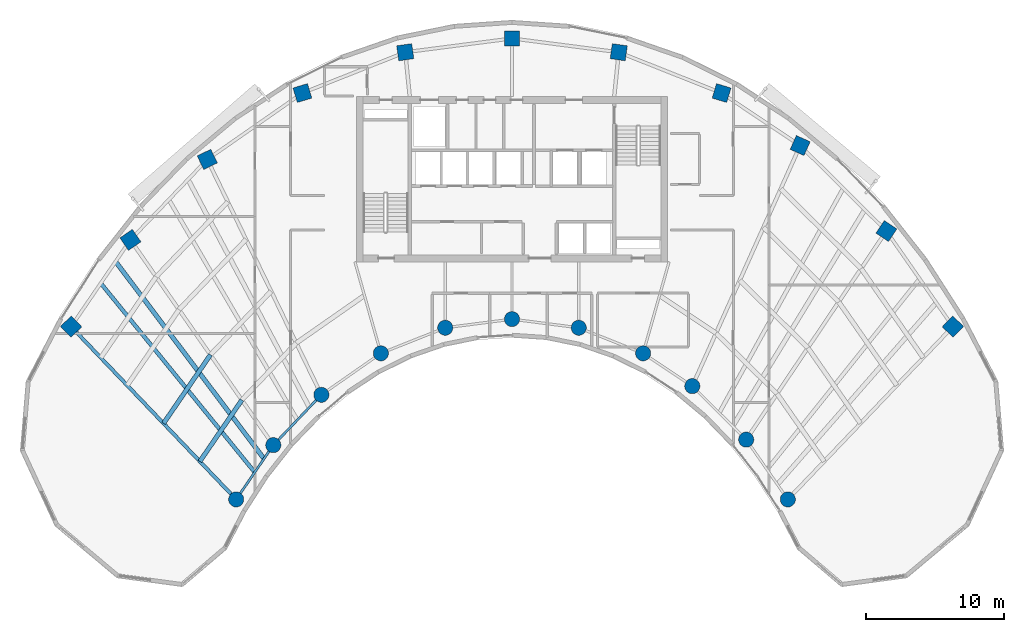
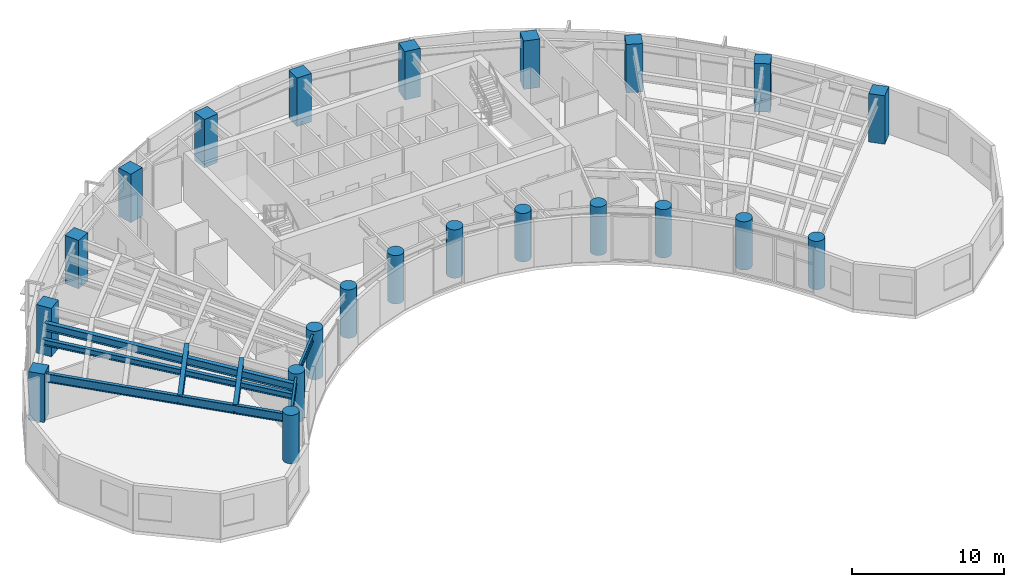
# One storey, part 1 of 13: 22 columns, 7 beams.
"""IFC4 building model written with IfcOpenShell, lengths in metres."""

from ifc_helpers import new_model, si_unit, direction, frame, origin, origin_2d, place, context, subcontext, project, spatial, rectangle, circle, i_section, extrude, source, transform, mapped, material, material_profile, profile_set, type_object, type_shapes, element, save


model = new_model("IFC4")

# Units and contexts
model_context = context("Model", 3, precision=1e-05, world=origin(), true_north=direction((0.0, 1.0)))
body_context = subcontext(model_context, "Body", "Model", "MODEL_VIEW")
ifc_project = project(units=[si_unit("LENGTHUNIT", "METRE"), si_unit("AREAUNIT", "SQUARE_METRE"), si_unit("VOLUMEUNIT", "CUBIC_METRE"), si_unit("PLANEANGLEUNIT", "RADIAN"), si_unit("MASSUNIT", "GRAM", prefix="KILO")], contexts=[model_context])

# Site, building, storey
site_placement = place(None, origin())
site = spatial("IfcSite", under=ifc_project, at=site_placement, CompositionType="ELEMENT")
building_placement = place(site_placement, origin())
building = spatial("IfcBuilding", under=site, at=building_placement, Name="Breltana Convention Tower", CompositionType="ELEMENT")
storey_placement = place(building_placement, frame((0.0, 0.0, 142.800048828125)))
storey = spatial("IfcBuildingStorey", under=building, at=storey_placement, Name="L34", CompositionType="ELEMENT", Elevation=142.800048828125)

# Columns
ifc_material_1 = material(Name="Concrete C60/75", Category="concrete")
ifc_material_profile_1 = material_profile(ifc_material_1, rectangle(XDim=1.10009765625, YDim=1.10009765625, at=origin_2d()), Name="RC-COL-1100X1100")
ifc_profile_set_1 = profile_set([ifc_material_profile_1], Name="Concrete C60/75")
column_type_1 = type_object("IfcColumnType", Name="COL-RC-1100", PredefinedType="COLUMN", material=ifc_profile_set_1)
shared_shape_1 = source(origin(), body_context, "Body", "SweptSolid", [
    extrude(rectangle(XDim=1.10009765625, YDim=1.10009765625, at=origin_2d()), origin(), (0.0, 0.0, 1.0), 3.89990234375),
])
for number, where, z_axis, x_axis, name in (
    (1, (16.0068359375, 55.494384765625, 0.0), (0.0, 0.0, 1.0), (-0.690756218984, 0.723087716626, 0.0), "L34 Tower Column R01-OUT"),
    (2, (20.310791015625, 61.78857421875, 0.0), (0.0, 0.0, 1.0), (-0.571143442153, 0.820850271661, 0.0), "L34 Tower Column R02-OUT"),
    (3, (25.8876953125, 67.626953125, 0.0), (0.0, 0.0, 1.0), (-0.436173672171, 0.899862504889, 0.0), "L34 Tower Column R03-OUT"),
    (4, (32.791015625, 72.4423828125, 0.0), (0.0, 0.0, 1.0), (-0.288697611798, 0.957420330337, 0.0), "L34 Tower Column R04-OUT"),
    (5, (40.253173828125, 75.404296875, 0.0), (0.0, 0.0, 1.0), (-0.143492621991, 0.98965138682, 0.0), "L34 Tower Column R05-OUT"),
    (6, (48.0, 76.404052734375, 0.0), (0.0, 0.0, 1.0), (0.0, 1.0, 0.0), "L34 Tower Column R06-OUT"),
    (7, (55.746826171875, 75.404296875, 0.0), (0.0, 0.0, 1.0), (0.143492621991, 0.98965138682, 0.0), "L34 Tower Column R07-OUT"),
    (8, (63.208984375, 72.4423828125, 0.0), (0.0, 0.0, 1.0), (0.288697611798, 0.957420330337, 0.0), "L34 Tower Column R08-OUT"),
    (9, (68.910400390625, 68.63330078125, 0.0), (0.0, 0.0, 1.0), (0.409126902895, 0.912477494148, 0.0), "L34 Tower Column R09-OUT"),
    (10, (75.166748046875, 62.43017578125, 0.0), (0.0, 0.0, 1.0), (0.55774510898, 0.830012285095, 0.0), "L34 Tower Column R10-OUT"),
    (11, (79.9931640625, 55.494384765625, 0.0), (0.0, 0.0, 1.0), (0.690756218984, 0.723087716626, 0.0), "L34 Tower Column R11-OUT"),
):
    element("IfcColumn", number, at=place(storey_placement, frame(where, z_axis=z_axis, x_axis=x_axis)), inside=storey, type_object=column_type_1, Name=name, PredefinedType="COLUMN", context=body_context, shape_type="MappedRepresentation", body=[
        mapped(shared_shape_1, transform((0.0, 0.0, 0.0), scale=1.0)),
    ])
ifc_material_2 = material(Name="Concrete C50/60", Category="concrete")
ifc_material_profile_2 = material_profile(ifc_material_2, circle(Radius=0.550048828125, at=origin_2d()), Name="RC-COL-D1100")
ifc_profile_set_2 = profile_set([ifc_material_profile_2], Name="Concrete C50/60")
column_type_2 = type_object("IfcColumnType", Name="COL-RC-D1100", PredefinedType="COLUMN", material=ifc_profile_set_2)
shared_shape_2 = source(origin(), body_context, "Body", "SweptSolid", [
    extrude(circle(Radius=0.550048828125, at=origin_2d()), origin(), (0.0, 0.0, 1.0), 3.89990234375),
])
for number, where, z_axis, x_axis, name in (
    (12, (27.984619140625, 42.95458984375, 0.0), (0.0, 0.0, 1.0), (-0.690756218984, 0.723087716626, 0.0), "L34 Tower Column R01-IN"),
    (13, (30.67724609375, 46.892333984375, 0.0), (0.0, 0.0, 1.0), (-0.571143442153, 0.820850271661, 0.0), "L34 Tower Column R02-IN"),
    (14, (34.166259765625, 50.544921875, 0.0), (0.0, 0.0, 1.0), (-0.436173672171, 0.899862504889, 0.0), "L34 Tower Column R03-IN"),
    (15, (38.485107421875, 53.5576171875, 0.0), (0.0, 0.0, 1.0), (-0.288697611798, 0.957420330337, 0.0), "L34 Tower Column R04-IN"),
    (16, (43.153564453125, 55.41064453125, 0.0), (0.0, 0.0, 1.0), (-0.143492621991, 0.98965138682, 0.0), "L34 Tower Column R05-IN"),
    (17, (48.0, 56.035888671875, 0.0), (0.0, 0.0, 1.0), (0.0, 1.0, 0.0), "L34 Tower Column R06-IN"),
    (18, (52.846435546875, 55.41064453125, 0.0), (0.0, 0.0, 1.0), (0.143492621991, 0.98965138682, 0.0), "L34 Tower Column R07-IN"),
    (19, (57.514892578125, 53.5576171875, 0.0), (0.0, 0.0, 1.0), (0.288697611798, 0.957420330337, 0.0), "L34 Tower Column R08-IN"),
    (20, (61.08203125, 51.174560546875, 0.0), (0.0, 0.0, 1.0), (0.409126902895, 0.912477494148, 0.0), "L34 Tower Column R09-IN"),
    (21, (64.995849609375, 47.293701171875, 0.0), (0.0, 0.0, 1.0), (0.55774510898, 0.830012285095, 0.0), "L34 Tower Column R10-IN"),
    (22, (68.015380859375, 42.95458984375, 0.0), (0.0, 0.0, 1.0), (0.690756218984, 0.723087716626, 0.0), "L34 Tower Column R11-IN"),
):
    element("IfcColumn", number, at=place(storey_placement, frame(where, z_axis=z_axis, x_axis=x_axis)), inside=storey, type_object=column_type_2, Name=name, PredefinedType="COLUMN", context=body_context, shape_type="MappedRepresentation", body=[
        mapped(shared_shape_2, transform((0.0, 0.0, 0.0), scale=1.0)),
    ])

# Beams
ifc_material_3 = material(Name="Steel ASTM A992 Grade 50", Category="steel")
ifc_material_profile_3 = material_profile(ifc_material_3, i_section(OverallWidth=0.25390625, OverallDepth=0.68798828125, WebThickness=0.01318359375, FlangeThickness=0.02099609375, at=origin_2d()), Name="W27X102")
ifc_profile_set_3 = profile_set([ifc_material_profile_3], Name="Steel ASTM A992 Grade 50")
beam_type_1 = type_object("IfcBeamType", Name="BM-RG-W27X102", PredefinedType="USERDEFINED", material=ifc_profile_set_3)
shared_shape_3 = source(origin(), body_context, "Body", "SweptSolid", [
    extrude(i_section(OverallWidth=0.25390625, OverallDepth=0.68798828125, WebThickness=0.01318359375, FlangeThickness=0.02099609375, at=origin_2d()), origin(), (0.0, 0.0, 1.0), 17.341064453125),
])
type_shapes(beam_type_1, [shared_shape_3])
beam_1_placement = place(storey_placement, frame((27.984619140625, 42.95458984375, 3.305908203125), z_axis=(-0.690716462293, 0.723125693581, 0.0), x_axis=(-0.723125693581, -0.690716462293, 0.0)))
element("IfcBeam", 23, at=beam_1_placement, inside=storey, type_object=beam_type_1, Name="L34 Radial Floor Girder R01", ObjectType="GIRDER", PredefinedType="USERDEFINED", context=body_context, shape_type="MappedRepresentation", body=[
    mapped(shared_shape_3, transform((0.0, 0.0, 0.0), scale=1.0)),
])
ifc_material_profile_4 = material_profile(ifc_material_3, i_section(OverallWidth=0.166015625, OverallDepth=0.534912109375, WebThickness=0.01025390625, FlangeThickness=0.0166015625, at=origin_2d()), Name="W21X57")
ifc_profile_set_4 = profile_set([ifc_material_profile_4], Name="Steel ASTM A992 Grade 50")
beam_type_2 = type_object("IfcBeamType", Name="BM-BM-W21X57", PredefinedType="BEAM", material=ifc_profile_set_4)
shared_shape_4 = source(origin(), body_context, "Body", "SweptSolid", [
    extrude(i_section(OverallWidth=0.166015625, OverallDepth=0.534912109375, WebThickness=0.01025390625, FlangeThickness=0.0166015625, at=origin_2d()), origin(), (0.0, 0.0, 1.0), 4.770263671875),
])
beam_2_placement = place(storey_placement, frame((27.984619140625, 42.95458984375, 3.382568359375), z_axis=(0.564452719055, 0.82546540082, 0.0), x_axis=(-0.82546540082, 0.564452719055, 0.0)))
element("IfcBeam", 24, at=beam_2_placement, inside=storey, type_object=beam_type_2, Name="L34 Inner Ring Beam 01", PredefinedType="BEAM", context=body_context, shape_type="MappedRepresentation", body=[
    mapped(shared_shape_4, transform((0.0, 0.0, 0.0), scale=1.0)),
])
shared_shape_5 = source(origin(), body_context, "Body", "SweptSolid", [
    extrude(i_section(OverallWidth=0.166015625, OverallDepth=0.534912109375, WebThickness=0.01025390625, FlangeThickness=0.0166015625, at=origin_2d()), origin(), (0.0, 0.0, 1.0), 5.05126953125),
])
beam_3_placement = place(storey_placement, frame((30.67724609375, 46.892333984375, 3.382568359375), z_axis=(0.690729753845, 0.7231129975, 0.0), x_axis=(-0.7231129975, 0.690729753845, 0.0)))
element("IfcBeam", 25, at=beam_3_placement, inside=storey, type_object=beam_type_2, Name="L34 Inner Ring Beam 02", PredefinedType="BEAM", context=body_context, shape_type="MappedRepresentation", body=[
    mapped(shared_shape_5, transform((0.0, 0.0, 0.0), scale=1.0)),
])
ifc_material_profile_5 = material_profile(ifc_material_3, i_section(OverallWidth=0.323974609375, OverallDepth=0.611083984375, WebThickness=0.0126953125, FlangeThickness=0.01904296875, at=origin_2d()), Name="W24X104")
ifc_profile_set_5 = profile_set([ifc_material_profile_5], Name="Steel ASTM A992 Grade 50")
beam_type_3 = type_object("IfcBeamType", Name="BM-JSG-01", PredefinedType="JOIST", material=ifc_profile_set_5)
shared_shape_6 = source(origin(), body_context, "Body", "SweptSolid", [
    extrude(i_section(OverallWidth=0.323974609375, OverallDepth=0.611083984375, WebThickness=0.0126953125, FlangeThickness=0.01904296875, at=origin_2d()), origin(), (0.0, 0.0, 1.0), 5.3984375),
])
beam_4_placement = place(storey_placement, frame((25.349365234375, 45.71337890625, 3.344482421875), z_axis=(0.564440705434, 0.825473615599, 0.0), x_axis=(-0.825473615599, 0.564440705434, 0.0)))
element("IfcBeam", 26, at=beam_4_placement, inside=storey, type_object=beam_type_3, Name="L34 Composite Floor Joist 01.1", PredefinedType="JOIST", context=body_context, shape_type="MappedRepresentation", body=[
    mapped(shared_shape_6, transform((0.0, 0.0, 0.0), scale=1.0)),
])
shared_shape_7 = source(origin(), body_context, "Body", "SweptSolid", [
    extrude(i_section(OverallWidth=0.323974609375, OverallDepth=0.611083984375, WebThickness=0.0126953125, FlangeThickness=0.01904296875, at=origin_2d()), origin(), (0.0, 0.0, 1.0), 6.0263671875),
])
beam_5_placement = place(storey_placement, frame((22.71435546875, 48.47216796875, 3.344482421875), z_axis=(0.564450071397, 0.825467211281, 0.0), x_axis=(-0.825467211281, 0.564450071397, 0.0)))
element("IfcBeam", 27, at=beam_5_placement, inside=storey, type_object=beam_type_3, Name="L34 Composite Floor Joist 01.2", PredefinedType="JOIST", context=body_context, shape_type="MappedRepresentation", body=[
    mapped(shared_shape_7, transform((0.0, 0.0, 0.0), scale=1.0)),
])
ifc_material_profile_6 = material_profile(ifc_material_3, i_section(OverallWidth=0.280029296875, OverallDepth=0.462890625, WebThickness=0.0107421875, FlangeThickness=0.017333984375, at=origin_2d()), Name="W18X76")
ifc_profile_set_6 = profile_set([ifc_material_profile_6], Name="Steel ASTM A992 Grade 50")
beam_type_4 = type_object("IfcBeamType", Name="BM-JSG-06", PredefinedType="JOIST", material=ifc_profile_set_6)
shared_shape_8 = source(origin(), body_context, "Body", "SweptSolid", [
    extrude(i_section(OverallWidth=0.280029296875, OverallDepth=0.462890625, WebThickness=0.0107421875, FlangeThickness=0.017333984375, at=origin_2d()), origin(), (0.0, 0.0, 1.0), 17.691650390625),
])
beam_6_placement = place(storey_placement, frame((29.330810546875, 44.923583984375, 3.41845703125), z_axis=(-0.631476958478, 0.775394642044, 0.0), x_axis=(-0.775394642044, -0.631476958478, 0.0)))
element("IfcBeam", 28, at=beam_6_placement, inside=storey, type_object=beam_type_4, Name="L34 Mid-Bay Radial Trimmer 01", PredefinedType="JOIST", context=body_context, shape_type="MappedRepresentation", body=[
    mapped(shared_shape_8, transform((0.0, 0.0, 0.0), scale=1.0)),
])
shared_shape_9 = source(origin(), body_context, "Body", "SweptSolid", [
    extrude(i_section(OverallWidth=0.323974609375, OverallDepth=0.611083984375, WebThickness=0.0126953125, FlangeThickness=0.01904296875, at=origin_2d()), origin(), (0.0, 0.0, 1.0), 17.9072265625),
])
beam_7_placement = place(storey_placement, frame((30.00390625, 45.907958984375, 3.344482421875), z_axis=(-0.601382105028, 0.798961553363, 0.0), x_axis=(-0.798961553363, -0.601382105028, 0.0)))
element("IfcBeam", 29, at=beam_7_placement, inside=storey, type_object=beam_type_3, Name="L34 Quarter-Bay Radial Trimmer 01", PredefinedType="JOIST", context=body_context, shape_type="MappedRepresentation", body=[
    mapped(shared_shape_9, transform((0.0, 0.0, 0.0), scale=1.0)),
])

save(model, "model.ifc")
